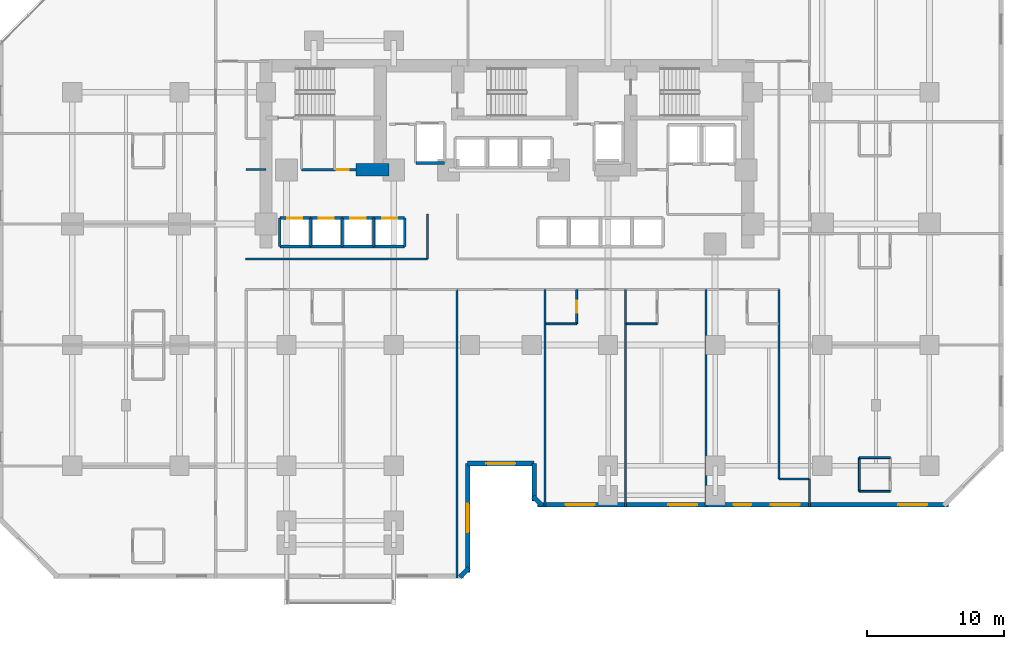
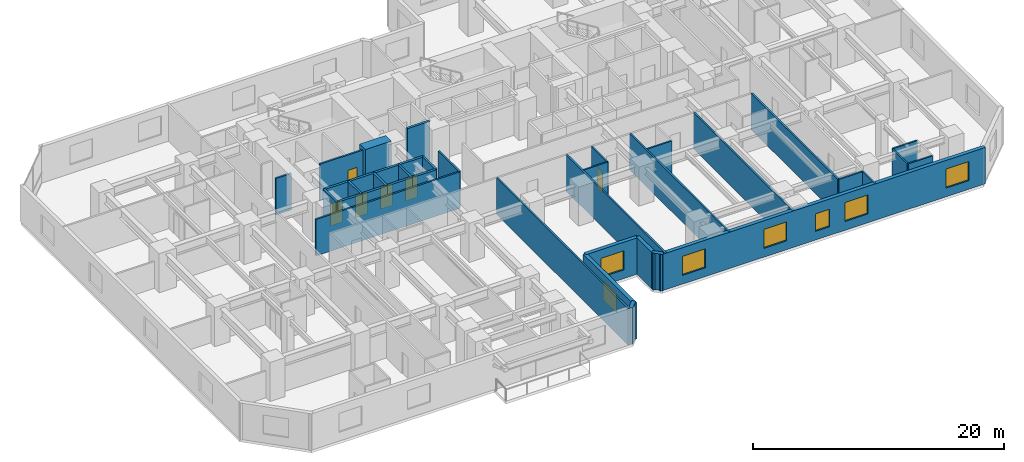
# One storey, part 6 of 12: 38 walls, 7 windows, 6 doors, 13 openings.
"""IFC4 building model written with IfcOpenShell, lengths in metres."""

from ifc_helpers import new_model, si_unit, direction, frame, frame_2d, origin, place, context, subcontext, project, spatial, rectangle, extrude, material, layer, layer_set, type_object, element, fill, save


model = new_model("IFC4")

# Units and contexts
model_context = context("Model", 3, precision=1e-05, world=origin(), true_north=direction((0.0, 1.0)))
body_context = subcontext(model_context, "Body", "Model", "MODEL_VIEW")
ifc_project = project(units=[si_unit("LENGTHUNIT", "METRE"), si_unit("AREAUNIT", "SQUARE_METRE"), si_unit("VOLUMEUNIT", "CUBIC_METRE"), si_unit("PLANEANGLEUNIT", "RADIAN"), si_unit("MASSUNIT", "GRAM", prefix="KILO")], contexts=[model_context])

# Site, building, storey
site_placement = place(None, origin())
site = spatial("IfcSite", under=ifc_project, at=site_placement, CompositionType="ELEMENT")
building_placement = place(site_placement, origin())
building = spatial("IfcBuilding", under=site, at=building_placement, Name="Kestravale Grand Hotel", CompositionType="ELEMENT")
storey_placement = place(building_placement, frame((0.0, 0.0, 67.800048828125)))
storey = spatial("IfcBuildingStorey", under=building, at=storey_placement, Name="L16", CompositionType="ELEMENT", Elevation=67.800048828125)

# Walls
ifc_material_1 = material(Name="Concrete f'c 70 MPa", Category="concrete")
ifc_layer_1 = layer(ifc_material_1, 0.89990234375)
ifc_layer_set_1 = layer_set([ifc_layer_1], Name="EW-CORE-900")
wall_type_1 = type_object("IfcWallType", Name="EW-CORE-900", PredefinedType="SHEAR", material=ifc_layer_set_1)
wall_1_placement = place(storey_placement, frame((28.449951171875, 32.75, 0.0), z_axis=(0.0, 0.0, 1.0), x_axis=(1.0, 0.0, 0.0)))
element("IfcWall", 1, at=wall_1_placement, inside=storey, type_object=wall_type_1, Name="L16 core shear wall S1", PredefinedType="SHEAR", context=body_context, shape_type="SweptSolid", body=[
    extrude(rectangle(XDim=2.400146484375, YDim=0.89990234375, at=frame_2d((1.2001953125, 0.0))), origin(), (0.0, 0.0, 1.0), 3.800048828125),
])
ifc_material_2 = material(Name="Precast concrete f'c 45 MPa", Category="concrete")
ifc_layer_2 = layer(ifc_material_2, 0.340087890625)
ifc_layer_set_2 = layer_set([ifc_layer_2], Name="EW-PREC-340")
wall_type_2 = type_object("IfcWallType", Name="EW-PREC-340", PredefinedType="SOLIDWALL", material=ifc_layer_set_2)
wall_2_placement = place(storey_placement, frame((36.00146484375, 3.091796875, 0.0), z_axis=(0.0, 0.0, 1.0), x_axis=(0.707106781187, 0.707106781187, 0.0)))
element("IfcWall", 2, at=wall_2_placement, inside=storey, type_object=wall_type_2, Name="L16 fluted precast facade wall 2", PredefinedType="SOLIDWALL", context=body_context, shape_type="SweptSolid", body=[
    extrude(rectangle(XDim=0.9287109375, YDim=0.340087890625, at=frame_2d((0.46435546875, 0.0))), origin(), (0.0, 0.0, 1.0), 3.5400390625),
])

# Wall, opening, window
wall_3_placement = place(storey_placement, frame((36.580078125, 3.429931640625, 0.0), z_axis=(0.0, 0.0, 1.0), x_axis=(0.0, 1.0, 0.0)))
wall_3 = element("IfcWall", 3, at=wall_3_placement, inside=storey, type_object=wall_type_2, Name="L16 fluted precast facade wall 3", PredefinedType="SOLIDWALL", context=body_context, shape_type="SweptSolid", body=[
    extrude(rectangle(XDim=7.940185546875, YDim=0.340087890625, at=frame_2d((3.97021484375, 0.0))), origin(), (0.0, 0.0, 1.0), 3.5400390625),
])
opening_1_placement = place(wall_3_placement, frame((2.919921875, 0.0, 0.85009765625)))
opening_1 = element("IfcOpeningElement", 4, at=opening_1_placement, cuts=wall_3, Name="Opening W-GUEST-2100", PredefinedType="OPENING", context=body_context, shape_type="SweptSolid", body=[
    extrude(rectangle(XDim=2.10009765625, YDim=1.85009765625, at=frame_2d((1.050048828125, 0.925048828125))), frame((0.0, 0.179931640625, 0.0), z_axis=(0.0, -1.0, 0.0), x_axis=(1.0, 0.0, 0.0)), (0.0, 0.0, 1.0), 0.360107421875),
])
ifc_material_3 = material(Name="Insulated low-E double glazing in aluminium frame", Category="aluminium")
window_type_1 = type_object("IfcWindowType", Name="W-GUEST-2100", PartitioningType="DOUBLE_PANEL_VERTICAL", PredefinedType="WINDOW", material=ifc_material_3)
window_1_placement = place(opening_1_placement, origin())
window_1 = element("IfcWindow", 5, at=window_1_placement, inside=storey, type_object=window_type_1, Name="L16 exterior window 3.1", OverallHeight=1.85009765625, OverallWidth=2.10009765625, PartitioningType="SINGLE_PANEL", PredefinedType="WINDOW", context=body_context, shape_type="SweptSolid", body=[
    extrude(rectangle(XDim=2.10009765625, YDim=1.85009765625, at=frame_2d((1.050048828125, 0.925048828125))), frame((0.0, 0.030029296875, 0.0), z_axis=(0.0, -1.0, 0.0), x_axis=(1.0, 0.0, 0.0)), (0.0, 0.0, 1.0), 0.06005859375),
])
fill(opening_1, window_1)

wall_4_placement = place(storey_placement, frame((36.580078125, 11.3701171875, 0.0), z_axis=(0.0, 0.0, 1.0), x_axis=(1.0, 0.0, 0.0)))
wall_4 = element("IfcWall", 6, at=wall_4_placement, inside=storey, type_object=wall_type_2, Name="L16 fluted precast facade wall 4", PredefinedType="SOLIDWALL", context=body_context, shape_type="SweptSolid", body=[
    extrude(rectangle(XDim=4.83984375, YDim=0.340087890625, at=frame_2d((2.419921875, 0.0))), origin(), (0.0, 0.0, 1.0), 3.5400390625),
])
opening_2_placement = place(wall_4_placement, frame((1.3701171875, 0.0, 0.85009765625)))
opening_2 = element("IfcOpeningElement", 7, at=opening_2_placement, cuts=wall_4, Name="Opening W-GUEST-2100", PredefinedType="OPENING", context=body_context, shape_type="SweptSolid", body=[
    extrude(rectangle(XDim=2.10009765625, YDim=1.85009765625, at=frame_2d((1.050048828125, 0.925048828125))), frame((0.0, 0.179931640625, 0.0), z_axis=(0.0, -1.0, 0.0), x_axis=(1.0, 0.0, 0.0)), (0.0, 0.0, 1.0), 0.360107421875),
])
window_2_placement = place(opening_2_placement, origin())
window_2 = element("IfcWindow", 8, at=window_2_placement, inside=storey, type_object=window_type_1, Name="L16 exterior window 4.1", OverallHeight=1.85009765625, OverallWidth=2.10009765625, PartitioningType="SINGLE_PANEL", PredefinedType="WINDOW", context=body_context, shape_type="SweptSolid", body=[
    extrude(rectangle(XDim=2.10009765625, YDim=1.85009765625, at=frame_2d((1.050048828125, 0.925048828125))), frame((0.0, 0.030029296875, 0.0), z_axis=(0.0, -1.0, 0.0), x_axis=(1.0, 0.0, 0.0)), (0.0, 0.0, 1.0), 0.06005859375),
])
fill(opening_2, window_2)

# Walls
wall_5_placement = place(storey_placement, frame((41.419921875, 11.3701171875, 0.0), z_axis=(0.0, 0.0, 1.0), x_axis=(0.0, -1.0, 0.0)))
element("IfcWall", 9, at=wall_5_placement, inside=storey, type_object=wall_type_2, Name="L16 fluted precast facade wall 5", PredefinedType="SOLIDWALL", context=body_context, shape_type="SweptSolid", body=[
    extrude(rectangle(XDim=2.740234375, YDim=0.340087890625, at=frame_2d((1.3701171875, 0.0))), origin(), (0.0, 0.0, 1.0), 3.5400390625),
])
wall_6_placement = place(storey_placement, frame((41.341796875, 8.948486328125, 0.0), z_axis=(0.0, 0.0, 1.0), x_axis=(0.707238225886, -0.706975312048, 0.0)))
element("IfcWall", 10, at=wall_6_placement, inside=storey, type_object=wall_type_2, Name="L16 fluted precast facade wall 6", PredefinedType="SOLIDWALL", context=body_context, shape_type="SweptSolid", body=[
    extrude(rectangle(XDim=0.9287109375, YDim=0.340087890625, at=frame_2d((0.46435546875, 0.0))), origin(), (0.0, 0.0, 1.0), 3.5400390625),
])

# Wall, openings, windows
wall_7_placement = place(storey_placement, frame((41.679931640625, 8.3701171875, 0.0), z_axis=(0.0, 0.0, 1.0), x_axis=(1.0, 0.0, 0.0)))
wall_7 = element("IfcWall", 11, at=wall_7_placement, inside=storey, type_object=wall_type_2, Name="L16 fluted precast facade wall 7", PredefinedType="SOLIDWALL", context=body_context, shape_type="SweptSolid", body=[
    extrude(rectangle(XDim=29.89013671875, YDim=0.340087890625, at=frame_2d((14.945068359375, 0.0))), origin(), (0.0, 0.0, 1.0), 3.5400390625),
])
opening_3_placement = place(wall_7_placement, frame((2.0361328125, 0.0, 0.85009765625)))
opening_3 = element("IfcOpeningElement", 12, at=opening_3_placement, cuts=wall_7, Name="Opening W-GUEST-2100", PredefinedType="OPENING", context=body_context, shape_type="SweptSolid", body=[
    extrude(rectangle(XDim=2.10009765625, YDim=1.85009765625, at=frame_2d((1.050048828125, 0.925048828125))), frame((0.0, 0.179931640625, 0.0), z_axis=(0.0, -1.0, 0.0), x_axis=(1.0, 0.0, 0.0)), (0.0, 0.0, 1.0), 0.360107421875),
])
opening_4_placement = place(wall_7_placement, frame((9.5087890625, 0.0, 0.85009765625)))
opening_4 = element("IfcOpeningElement", 13, at=opening_4_placement, cuts=wall_7, Name="Opening W-GUEST-2100", PredefinedType="OPENING", context=body_context, shape_type="SweptSolid", body=[
    extrude(rectangle(XDim=2.10009765625, YDim=1.85009765625, at=frame_2d((1.050048828125, 0.925048828125))), frame((0.0, 0.179931640625, 0.0), z_axis=(0.0, -1.0, 0.0), x_axis=(1.0, 0.0, 0.0)), (0.0, 0.0, 1.0), 0.360107421875),
])
opening_5_placement = place(wall_7_placement, frame((16.981201171875, 0.0, 0.85009765625)))
opening_5 = element("IfcOpeningElement", 14, at=opening_5_placement, cuts=wall_7, Name="Opening W-GUEST-2100", PredefinedType="OPENING", context=body_context, shape_type="SweptSolid", body=[
    extrude(rectangle(XDim=2.10009765625, YDim=1.85009765625, at=frame_2d((1.050048828125, 0.925048828125))), frame((0.0, 0.179931640625, 0.0), z_axis=(0.0, -1.0, 0.0), x_axis=(1.0, 0.0, 0.0)), (0.0, 0.0, 1.0), 0.360107421875),
])
opening_6_placement = place(wall_7_placement, frame((26.253662109375, 0.0, 0.85009765625)))
opening_6 = element("IfcOpeningElement", 15, at=opening_6_placement, cuts=wall_7, Name="Opening W-GUEST-2100", PredefinedType="OPENING", context=body_context, shape_type="SweptSolid", body=[
    extrude(rectangle(XDim=2.10009765625, YDim=1.85009765625, at=frame_2d((1.050048828125, 0.925048828125))), frame((0.0, 0.179931640625, 0.0), z_axis=(0.0, -1.0, 0.0), x_axis=(1.0, 0.0, 0.0)), (0.0, 0.0, 1.0), 0.360107421875),
])
opening_7_placement = place(wall_7_placement, frame((14.264892578125, 0.0, 0.85009765625)))
opening_7 = element("IfcOpeningElement", 16, at=opening_7_placement, cuts=wall_7, Name="Opening W-GUEST-1300", PredefinedType="OPENING", context=body_context, shape_type="SweptSolid", body=[
    extrude(rectangle(XDim=1.300048828125, YDim=1.699951171875, at=frame_2d((0.64990234375, 0.85009765625))), frame((0.0, 0.179931640625, 0.0), z_axis=(0.0, -1.0, 0.0), x_axis=(1.0, 0.0, 0.0)), (0.0, 0.0, 1.0), 0.360107421875),
])
ifc_material_4 = material(Name="Insulated low-E double glazing in aluminium frame", Category="aluminium")
window_type_2 = type_object("IfcWindowType", Name="W-GUEST-1300", PartitioningType="SINGLE_PANEL", PredefinedType="WINDOW", material=ifc_material_4)
window_3_placement = place(opening_7_placement, origin())
window_3 = element("IfcWindow", 17, at=window_3_placement, inside=storey, type_object=window_type_2, Name="L16 guestroom envelope window 1", OverallHeight=1.699951171875, OverallWidth=1.300048828125, PartitioningType="SINGLE_PANEL", PredefinedType="WINDOW", context=body_context, shape_type="SweptSolid", body=[
    extrude(rectangle(XDim=1.300048828125, YDim=1.699951171875, at=frame_2d((0.64990234375, 0.85009765625))), frame((0.0, 0.030029296875, 0.0), z_axis=(0.0, -1.0, 0.0), x_axis=(1.0, 0.0, 0.0)), (0.0, 0.0, 1.0), 0.06005859375),
])
fill(opening_7, window_3)
window_4_placement = place(opening_3_placement, origin())
window_4 = element("IfcWindow", 18, at=window_4_placement, inside=storey, type_object=window_type_1, Name="L16 exterior window 7.1", OverallHeight=1.85009765625, OverallWidth=2.10009765625, PartitioningType="SINGLE_PANEL", PredefinedType="WINDOW", context=body_context, shape_type="SweptSolid", body=[
    extrude(rectangle(XDim=2.10009765625, YDim=1.85009765625, at=frame_2d((1.050048828125, 0.925048828125))), frame((0.0, 0.030029296875, 0.0), z_axis=(0.0, -1.0, 0.0), x_axis=(1.0, 0.0, 0.0)), (0.0, 0.0, 1.0), 0.06005859375),
])
fill(opening_3, window_4)
window_5_placement = place(opening_4_placement, origin())
window_5 = element("IfcWindow", 19, at=window_5_placement, inside=storey, type_object=window_type_1, Name="L16 exterior window 7.2", OverallHeight=1.85009765625, OverallWidth=2.10009765625, PartitioningType="SINGLE_PANEL", PredefinedType="WINDOW", context=body_context, shape_type="SweptSolid", body=[
    extrude(rectangle(XDim=2.10009765625, YDim=1.85009765625, at=frame_2d((1.050048828125, 0.925048828125))), frame((0.0, 0.030029296875, 0.0), z_axis=(0.0, -1.0, 0.0), x_axis=(1.0, 0.0, 0.0)), (0.0, 0.0, 1.0), 0.06005859375),
])
fill(opening_4, window_5)
window_6_placement = place(opening_5_placement, origin())
window_6 = element("IfcWindow", 20, at=window_6_placement, inside=storey, type_object=window_type_1, Name="L16 exterior window 7.3", OverallHeight=1.85009765625, OverallWidth=2.10009765625, PartitioningType="SINGLE_PANEL", PredefinedType="WINDOW", context=body_context, shape_type="SweptSolid", body=[
    extrude(rectangle(XDim=2.10009765625, YDim=1.85009765625, at=frame_2d((1.050048828125, 0.925048828125))), frame((0.0, 0.030029296875, 0.0), z_axis=(0.0, -1.0, 0.0), x_axis=(1.0, 0.0, 0.0)), (0.0, 0.0, 1.0), 0.06005859375),
])
fill(opening_5, window_6)
window_7_placement = place(opening_6_placement, origin())
window_7 = element("IfcWindow", 21, at=window_7_placement, inside=storey, type_object=window_type_1, Name="L16 exterior window 7.4", OverallHeight=1.85009765625, OverallWidth=2.10009765625, PartitioningType="SINGLE_PANEL", PredefinedType="WINDOW", context=body_context, shape_type="SweptSolid", body=[
    extrude(rectangle(XDim=2.10009765625, YDim=1.85009765625, at=frame_2d((1.050048828125, 0.925048828125))), frame((0.0, 0.030029296875, 0.0), z_axis=(0.0, -1.0, 0.0), x_axis=(1.0, 0.0, 0.0)), (0.0, 0.0, 1.0), 0.06005859375),
])
fill(opening_6, window_7)

# Wall, opening, door
ifc_material_5 = material(Name="Acoustic fire-rated gypsum board partition", Category="other")
ifc_layer_3 = layer(ifc_material_5, 0.159912109375)
ifc_layer_set_3 = layer_set([ifc_layer_3], Name="IW-CORR-160")
wall_type_3 = type_object("IfcWallType", Name="IW-CORR-160", PredefinedType="PARTITIONING", material=ifc_layer_set_3)
wall_8_placement = place(storey_placement, frame((24.47998046875, 32.75, 0.0), z_axis=(0.0, 0.0, 1.0), x_axis=(1.0, 0.0, 0.0)))
wall_8 = element("IfcWall", 22, at=wall_8_placement, inside=storey, type_object=wall_type_3, Name="W-L16-CWS", PredefinedType="PARTITIONING", context=body_context, shape_type="SweptSolid", body=[
    extrude(rectangle(XDim=3.969970703125, YDim=0.159912109375, at=frame_2d((1.98486328125, 0.0))), origin(), (0.0, 0.0, 1.0), 3.5400390625),
])
opening_8_placement = place(wall_8_placement, frame((2.5849609375, 0.0, 0.0)))
opening_8 = element("IfcOpeningElement", 23, at=opening_8_placement, cuts=wall_8, Name="Opening D-SH-860", PredefinedType="OPENING", context=body_context, shape_type="SweptSolid", body=[
    extrude(rectangle(XDim=0.860107421875, YDim=2.050048828125, at=frame_2d((0.43017578125, 1.02490234375))), frame((0.0, 0.08984375, 0.0), z_axis=(0.0, -1.0, 0.0), x_axis=(1.0, 0.0, 0.0)), (0.0, 0.0, 1.0), 0.179931640625),
])
ifc_material_6 = material(Name="Galvanised 90-minute riser fire door", Category="steel")
door_type_1 = type_object("IfcDoorType", Name="D-SH-860", OperationType="NOTDEFINED", PredefinedType="DOOR", material=ifc_material_6)
door_1_placement = place(opening_8_placement, origin())
door_1 = element("IfcDoor", 24, at=door_1_placement, inside=storey, type_object=door_type_1, Name="D-L16-ELEC", OperationType="SINGLE_SWING_RIGHT", OverallHeight=2.050048828125, OverallWidth=0.860107421875, PredefinedType="DOOR", context=body_context, shape_type="SweptSolid", body=[
    extrude(rectangle(XDim=0.860107421875, YDim=2.050048828125, at=frame_2d((0.43017578125, 1.02490234375))), frame((0.0, 0.02490234375, 0.0), z_axis=(0.0, -1.0, 0.0), x_axis=(1.0, 0.0, 0.0)), (0.0, 0.0, 1.0), 0.050048828125),
])
fill(opening_8, door_1)

# Walls
wall_9_placement = place(storey_placement, frame((20.39990234375, 26.260009765625, 0.0), z_axis=(0.0, 0.0, 1.0), x_axis=(1.0, 0.0, 0.0)))
element("IfcWall", 25, at=wall_9_placement, inside=storey, type_object=wall_type_3, Name="W-L16-CW-N", PredefinedType="PARTITIONING", context=body_context, shape_type="SweptSolid", body=[
    extrude(rectangle(XDim=13.25, YDim=0.159912109375, at=frame_2d((6.625, 0.0))), origin(), (0.0, 0.0, 1.0), 3.5400390625),
])
wall_10_placement = place(storey_placement, frame((33.64990234375, 26.260009765625, 0.0), z_axis=(0.0, 0.0, 1.0), x_axis=(0.0, 1.0, 0.0)))
element("IfcWall", 26, at=wall_10_placement, inside=storey, type_object=wall_type_3, Name="W-L16-TRUNK-W", PredefinedType="PARTITIONING", context=body_context, shape_type="SweptSolid", body=[
    extrude(rectangle(XDim=3.2900390625, YDim=0.159912109375, at=frame_2d((1.64501953125, 0.0))), origin(), (0.0, 0.0, 1.0), 3.5400390625),
])
wall_11_placement = place(storey_placement, frame((20.4599609375, 32.780029296875, 0.0), z_axis=(0.0, 0.0, 1.0), x_axis=(1.0, 0.0, 0.0)))
element("IfcWall", 27, at=wall_11_placement, inside=storey, type_object=wall_type_3, Name="W-L16-SW-CS", PredefinedType="PARTITIONING", context=body_context, shape_type="SweptSolid", body=[
    extrude(rectangle(XDim=1.43994140625, YDim=0.159912109375, at=frame_2d((0.719970703125, 0.0))), origin(), (0.0, 0.0, 1.0), 3.5400390625),
])
wall_12_placement = place(storey_placement, frame((59.239990234375, 10.25, 0.0), z_axis=(0.0, 0.0, 1.0), x_axis=(0.0, 1.0, 0.0)))
element("IfcWall", 28, at=wall_12_placement, inside=storey, type_object=wall_type_3, Name="W-L16-SE-W", PredefinedType="PARTITIONING", context=body_context, shape_type="SweptSolid", body=[
    extrude(rectangle(XDim=13.7900390625, YDim=0.159912109375, at=frame_2d((6.89501953125, 0.0))), origin(), (0.0, 0.0, 1.0), 3.5400390625),
])

# Wall, opening, door
ifc_material_7 = material(Name="Moisture-resistant tile-backer plumbing chase wall", Category="other")
ifc_layer_4 = layer(ifc_material_7, 0.139892578125)
ifc_layer_set_4 = layer_set([ifc_layer_4], Name="IW-PLB-140")
wall_type_4 = type_object("IfcWallType", Name="IW-PLB-140", PredefinedType="PLUMBINGWALL", material=ifc_layer_set_4)
wall_13_placement = place(storey_placement, frame((44.52001953125, 21.530029296875, 0.0), z_axis=(0.0, 0.0, 1.0), x_axis=(0.0, 1.0, 0.0)))
wall_13 = element("IfcWall", 29, at=wall_13_placement, inside=storey, type_object=wall_type_4, Name="W-L16-U02-BE", PredefinedType="PLUMBINGWALL", context=body_context, shape_type="SweptSolid", body=[
    extrude(rectangle(XDim=2.489990234375, YDim=0.139892578125, at=frame_2d((1.2451171875, 0.0))), origin(), (0.0, 0.0, 1.0), 3.5400390625),
])
opening_9_placement = place(wall_13_placement, frame((0.804931640625, 0.0, 0.0)))
opening_9 = element("IfcOpeningElement", 30, at=opening_9_placement, cuts=wall_13, Name="Opening D-BATH-880", PredefinedType="OPENING", context=body_context, shape_type="SweptSolid", body=[
    extrude(rectangle(XDim=0.8798828125, YDim=2.050048828125, at=frame_2d((0.43994140625, 1.02490234375))), frame((0.0, 0.079833984375, 0.0), z_axis=(0.0, -1.0, 0.0), x_axis=(1.0, 0.0, 0.0)), (0.0, 0.0, 1.0), 0.159912109375),
])
ifc_material_8 = material(Name="Moisture-sealed walnut en-suite bathroom door", Category="wood")
door_type_2 = type_object("IfcDoorType", Name="D-BATH-880", OperationType="NOTDEFINED", PredefinedType="DOOR", material=ifc_material_8)
door_2_placement = place(opening_9_placement, origin())
door_2 = element("IfcDoor", 31, at=door_2_placement, inside=storey, type_object=door_type_2, Name="D-L16-U02-BATH", OperationType="SINGLE_SWING_LEFT", OverallHeight=2.050048828125, OverallWidth=0.8798828125, PredefinedType="DOOR", context=body_context, shape_type="SweptSolid", body=[
    extrude(rectangle(XDim=0.8798828125, YDim=2.050048828125, at=frame_2d((0.43994140625, 1.02490234375))), frame((0.0, 0.02490234375, 0.0), z_axis=(0.0, -1.0, 0.0), x_axis=(1.0, 0.0, 0.0)), (0.0, 0.0, 1.0), 0.050048828125),
])
fill(opening_9, door_2)

# Walls
for number, where, z_axis, x_axis, name in (
    (32, (42.27001953125, 21.530029296875, 0.0), (0.0, 0.0, 1.0), (1.0, 0.0, 0.0), "W-L16-U02-BS"),
    (33, (48.1298828125, 21.530029296875, 0.0), (0.0, 0.0, 1.0), (1.0, 0.0, 0.0), "W-L16-U03-BS"),
):
    element("IfcWall", number, at=place(storey_placement, frame(where, z_axis=z_axis, x_axis=x_axis)), inside=storey, type_object=wall_type_4, Name=name, PredefinedType="PLUMBINGWALL", context=body_context, shape_type="SweptSolid", body=[
        extrude(rectangle(XDim=2.25, YDim=0.139892578125, at=frame_2d((1.125, 0.0))), origin(), (0.0, 0.0, 1.0), 3.5400390625),
    ])
wall_14_placement = place(storey_placement, frame((65.10009765625, 9.35009765625, 0.0), z_axis=(0.0, 0.0, 1.0), x_axis=(0.0, 1.0, 0.0)))
element("IfcWall", 34, at=wall_14_placement, inside=storey, type_object=wall_type_4, Name="W-L16-U09-BW", PredefinedType="PLUMBINGWALL", context=body_context, shape_type="SweptSolid", body=[
    extrude(rectangle(XDim=2.449951171875, YDim=0.139892578125, at=frame_2d((1.22509765625, 0.0))), origin(), (0.0, 0.0, 1.0), 3.5400390625),
])
for number, where, z_axis, x_axis, name in (
    (35, (65.10009765625, 9.35009765625, 0.0), (0.0, 0.0, 1.0), (1.0, 0.0, 0.0), "W-L16-U09-BS"),
    (36, (65.10009765625, 11.800048828125, 0.0), (0.0, 0.0, 1.0), (1.0, 0.0, 0.0), "W-L16-U09-BN"),
):
    element("IfcWall", number, at=place(storey_placement, frame(where, z_axis=z_axis, x_axis=x_axis)), inside=storey, type_object=wall_type_4, Name=name, PredefinedType="PLUMBINGWALL", context=body_context, shape_type="SweptSolid", body=[
        extrude(rectangle(XDim=2.25, YDim=0.139892578125, at=frame_2d((1.125, 0.0))), origin(), (0.0, 0.0, 1.0), 3.5400390625),
    ])
ifc_material_9 = material(Name="Concrete f'c 45 MPa", Category="concrete")
ifc_layer_5 = layer(ifc_material_9, 0.199951171875)
ifc_layer_set_5 = layer_set([ifc_layer_5], Name="IW-SHAFT-200")
wall_type_5 = type_object("IfcWallType", Name="IW-SHAFT-200", PredefinedType="SHEAR", material=ifc_layer_set_5)
for number, where, z_axis, x_axis, name in (
    (37, (22.905029296875, 27.169921875, 0.0), (0.0, 0.0, 1.0), (0.0, 1.0, 0.0), "L16 PL-L1 west shaft wall"),
    (38, (25.14990234375, 27.169921875, 0.0), (0.0, 0.0, 1.0), (0.0, 1.0, 0.0), "L16 PL-L2 west shaft wall"),
    (39, (27.449951171875, 27.169921875, 0.0), (0.0, 0.0, 1.0), (0.0, 1.0, 0.0), "L16 PL-L3 west shaft wall"),
    (40, (29.75, 27.169921875, 0.0), (0.0, 0.0, 1.0), (0.0, 1.0, 0.0), "L16 PL-L4 west shaft wall"),
    (41, (31.9951171875, 27.169921875, 0.0), (0.0, 0.0, 1.0), (0.0, 1.0, 0.0), "L16 PL-L4 east shaft wall"),
):
    element("IfcWall", number, at=place(storey_placement, frame(where, z_axis=z_axis, x_axis=x_axis)), inside=storey, type_object=wall_type_5, Name=name, PredefinedType="SHEAR", context=body_context, shape_type="SweptSolid", body=[
        extrude(rectangle(XDim=2.06005859375, YDim=0.199951171875, at=frame_2d((1.030029296875, 0.0))), origin(), (0.0, 0.0, 1.0), 3.800048828125),
    ])

# Wall, opening, door
ifc_material_10 = material(Name="Concrete f'c 45 MPa", Category="concrete")
ifc_layer_6 = layer(ifc_material_10, 0.219970703125)
ifc_layer_set_6 = layer_set([ifc_layer_6], Name="IW-SHAFT-220")
wall_type_6 = type_object("IfcWallType", Name="IW-SHAFT-220", PredefinedType="SHEAR", material=ifc_layer_set_6)
wall_15_placement = place(storey_placement, frame((22.905029296875, 29.22998046875, 0.0), z_axis=(0.0, 0.0, 1.0), x_axis=(1.0, 0.0, 0.0)))
wall_15 = element("IfcWall", 42, at=wall_15_placement, inside=storey, type_object=wall_type_6, Name="L16 PL-L1 north shaft wall", PredefinedType="SHEAR", context=body_context, shape_type="SweptSolid", body=[
    extrude(rectangle(XDim=2.244873046875, YDim=0.219970703125, at=frame_2d((1.12255859375, 0.0))), origin(), (0.0, 0.0, 1.0), 3.800048828125),
])
opening_10_placement = place(wall_15_placement, frame((0.544921875, 0.0, 0.0)))
opening_10 = element("IfcOpeningElement", 43, at=opening_10_placement, cuts=wall_15, Name="Opening LD-PAX-1100", PredefinedType="OPENING", context=body_context, shape_type="SweptSolid", body=[
    extrude(rectangle(XDim=1.10009765625, YDim=2.14990234375, at=frame_2d((0.550048828125, 1.074951171875))), frame((0.0, 0.119873046875, 0.0), z_axis=(0.0, -1.0, 0.0), x_axis=(1.0, 0.0, 0.0)), (0.0, 0.0, 1.0), 0.239990234375),
])
ifc_material_11 = material(Name="Champagne-bronze center-opening sliding elevator landing door", Category="steel")
door_type_3 = type_object("IfcDoorType", Name="LD-PAX-1100", OperationType="NOTDEFINED", PredefinedType="DOOR", material=ifc_material_11)
door_3_placement = place(opening_10_placement, origin())
door_3 = element("IfcDoor", 44, at=door_3_placement, inside=storey, type_object=door_type_3, Name="L16 PL-L1 elevator landing sliding door", OperationType="DOUBLE_DOOR_SLIDING", OverallHeight=2.14990234375, OverallWidth=1.10009765625, PredefinedType="DOOR", context=body_context, shape_type="SweptSolid", body=[
    extrude(rectangle(XDim=1.10009765625, YDim=2.14990234375, at=frame_2d((0.550048828125, 1.074951171875))), frame((0.0, 0.02490234375, 0.0), z_axis=(0.0, -1.0, 0.0), x_axis=(1.0, 0.0, 0.0)), (0.0, 0.0, 1.0), 0.050048828125),
])
fill(opening_10, door_3)

# Wall
wall_16_placement = place(storey_placement, frame((22.905029296875, 27.169921875, 0.0), z_axis=(0.0, 0.0, 1.0), x_axis=(1.0, 0.0, 0.0)))
element("IfcWall", 45, at=wall_16_placement, inside=storey, type_object=wall_type_6, Name="L16 PL-L1 south shaft wall", PredefinedType="SHEAR", context=body_context, shape_type="SweptSolid", body=[
    extrude(rectangle(XDim=2.244873046875, YDim=0.219970703125, at=frame_2d((1.12255859375, 0.0))), origin(), (0.0, 0.0, 1.0), 3.800048828125),
])

# Wall, opening, door
wall_17_placement = place(storey_placement, frame((25.14990234375, 29.22998046875, 0.0), z_axis=(0.0, 0.0, 1.0), x_axis=(1.0, 0.0, 0.0)))
wall_17 = element("IfcWall", 46, at=wall_17_placement, inside=storey, type_object=wall_type_6, Name="L16 PL-L2 north shaft wall", PredefinedType="SHEAR", context=body_context, shape_type="SweptSolid", body=[
    extrude(rectangle(XDim=2.300048828125, YDim=0.219970703125, at=frame_2d((1.14990234375, 0.0))), origin(), (0.0, 0.0, 1.0), 3.800048828125),
])
opening_11_placement = place(wall_17_placement, frame((0.60009765625, 0.0, 0.0)))
opening_11 = element("IfcOpeningElement", 47, at=opening_11_placement, cuts=wall_17, Name="Opening LD-PAX-1100", PredefinedType="OPENING", context=body_context, shape_type="SweptSolid", body=[
    extrude(rectangle(XDim=1.10009765625, YDim=2.14990234375, at=frame_2d((0.550048828125, 1.074951171875))), frame((0.0, 0.119873046875, 0.0), z_axis=(0.0, -1.0, 0.0), x_axis=(1.0, 0.0, 0.0)), (0.0, 0.0, 1.0), 0.239990234375),
])
door_4_placement = place(opening_11_placement, origin())
door_4 = element("IfcDoor", 48, at=door_4_placement, inside=storey, type_object=door_type_3, Name="L16 PL-L2 elevator landing sliding door", OperationType="DOUBLE_DOOR_SLIDING", OverallHeight=2.14990234375, OverallWidth=1.10009765625, PredefinedType="DOOR", context=body_context, shape_type="SweptSolid", body=[
    extrude(rectangle(XDim=1.10009765625, YDim=2.14990234375, at=frame_2d((0.550048828125, 1.074951171875))), frame((0.0, 0.02490234375, 0.0), z_axis=(0.0, -1.0, 0.0), x_axis=(1.0, 0.0, 0.0)), (0.0, 0.0, 1.0), 0.050048828125),
])
fill(opening_11, door_4)

# Wall
wall_18_placement = place(storey_placement, frame((25.14990234375, 27.169921875, 0.0), z_axis=(0.0, 0.0, 1.0), x_axis=(1.0, 0.0, 0.0)))
element("IfcWall", 49, at=wall_18_placement, inside=storey, type_object=wall_type_6, Name="L16 PL-L2 south shaft wall", PredefinedType="SHEAR", context=body_context, shape_type="SweptSolid", body=[
    extrude(rectangle(XDim=2.300048828125, YDim=0.219970703125, at=frame_2d((1.14990234375, 0.0))), origin(), (0.0, 0.0, 1.0), 3.800048828125),
])

# Wall, opening, door
wall_19_placement = place(storey_placement, frame((27.449951171875, 29.22998046875, 0.0), z_axis=(0.0, 0.0, 1.0), x_axis=(1.0, 0.0, 0.0)))
wall_19 = element("IfcWall", 50, at=wall_19_placement, inside=storey, type_object=wall_type_6, Name="L16 PL-L3 north shaft wall", PredefinedType="SHEAR", context=body_context, shape_type="SweptSolid", body=[
    extrude(rectangle(XDim=2.300048828125, YDim=0.219970703125, at=frame_2d((1.14990234375, 0.0))), origin(), (0.0, 0.0, 1.0), 3.800048828125),
])
opening_12_placement = place(wall_19_placement, frame((0.60009765625, 0.0, 0.0)))
opening_12 = element("IfcOpeningElement", 51, at=opening_12_placement, cuts=wall_19, Name="Opening LD-PAX-1100", PredefinedType="OPENING", context=body_context, shape_type="SweptSolid", body=[
    extrude(rectangle(XDim=1.10009765625, YDim=2.14990234375, at=frame_2d((0.550048828125, 1.074951171875))), frame((0.0, 0.119873046875, 0.0), z_axis=(0.0, -1.0, 0.0), x_axis=(1.0, 0.0, 0.0)), (0.0, 0.0, 1.0), 0.239990234375),
])
door_5_placement = place(opening_12_placement, origin())
door_5 = element("IfcDoor", 52, at=door_5_placement, inside=storey, type_object=door_type_3, Name="L16 PL-L3 elevator landing sliding door", OperationType="DOUBLE_DOOR_SLIDING", OverallHeight=2.14990234375, OverallWidth=1.10009765625, PredefinedType="DOOR", context=body_context, shape_type="SweptSolid", body=[
    extrude(rectangle(XDim=1.10009765625, YDim=2.14990234375, at=frame_2d((0.550048828125, 1.074951171875))), frame((0.0, 0.02490234375, 0.0), z_axis=(0.0, -1.0, 0.0), x_axis=(1.0, 0.0, 0.0)), (0.0, 0.0, 1.0), 0.050048828125),
])
fill(opening_12, door_5)

# Wall
wall_20_placement = place(storey_placement, frame((27.449951171875, 27.169921875, 0.0), z_axis=(0.0, 0.0, 1.0), x_axis=(1.0, 0.0, 0.0)))
element("IfcWall", 53, at=wall_20_placement, inside=storey, type_object=wall_type_6, Name="L16 PL-L3 south shaft wall", PredefinedType="SHEAR", context=body_context, shape_type="SweptSolid", body=[
    extrude(rectangle(XDim=2.300048828125, YDim=0.219970703125, at=frame_2d((1.14990234375, 0.0))), origin(), (0.0, 0.0, 1.0), 3.800048828125),
])

# Wall, opening, door
wall_21_placement = place(storey_placement, frame((29.75, 29.22998046875, 0.0), z_axis=(0.0, 0.0, 1.0), x_axis=(1.0, 0.0, 0.0)))
wall_21 = element("IfcWall", 54, at=wall_21_placement, inside=storey, type_object=wall_type_6, Name="L16 PL-L4 north shaft wall", PredefinedType="SHEAR", context=body_context, shape_type="SweptSolid", body=[
    extrude(rectangle(XDim=2.2451171875, YDim=0.219970703125, at=frame_2d((1.12255859375, 0.0))), origin(), (0.0, 0.0, 1.0), 3.800048828125),
])
opening_13_placement = place(wall_21_placement, frame((0.60009765625, 0.0, 0.0)))
opening_13 = element("IfcOpeningElement", 55, at=opening_13_placement, cuts=wall_21, Name="Opening LD-PAX-1100", PredefinedType="OPENING", context=body_context, shape_type="SweptSolid", body=[
    extrude(rectangle(XDim=1.10009765625, YDim=2.14990234375, at=frame_2d((0.550048828125, 1.074951171875))), frame((0.0, 0.119873046875, 0.0), z_axis=(0.0, -1.0, 0.0), x_axis=(1.0, 0.0, 0.0)), (0.0, 0.0, 1.0), 0.239990234375),
])
door_6_placement = place(opening_13_placement, origin())
door_6 = element("IfcDoor", 56, at=door_6_placement, inside=storey, type_object=door_type_3, Name="L16 PL-L4 elevator landing sliding door", OperationType="DOUBLE_DOOR_SLIDING", OverallHeight=2.14990234375, OverallWidth=1.10009765625, PredefinedType="DOOR", context=body_context, shape_type="SweptSolid", body=[
    extrude(rectangle(XDim=1.10009765625, YDim=2.14990234375, at=frame_2d((0.550048828125, 1.074951171875))), frame((0.0, 0.02490234375, 0.0), z_axis=(0.0, -1.0, 0.0), x_axis=(1.0, 0.0, 0.0)), (0.0, 0.0, 1.0), 0.050048828125),
])
fill(opening_13, door_6)

# Walls
wall_22_placement = place(storey_placement, frame((29.75, 27.169921875, 0.0), z_axis=(0.0, 0.0, 1.0), x_axis=(1.0, 0.0, 0.0)))
element("IfcWall", 57, at=wall_22_placement, inside=storey, type_object=wall_type_6, Name="L16 PL-L4 south shaft wall", PredefinedType="SHEAR", context=body_context, shape_type="SweptSolid", body=[
    extrude(rectangle(XDim=2.2451171875, YDim=0.219970703125, at=frame_2d((1.12255859375, 0.0))), origin(), (0.0, 0.0, 1.0), 3.800048828125),
])
wall_23_placement = place(storey_placement, frame((32.804931640625, 33.2451171875, 0.0), z_axis=(0.0, 0.0, 1.0), x_axis=(1.0, 0.0, 0.0)))
element("IfcWall", 58, at=wall_23_placement, inside=storey, type_object=wall_type_6, Name="L16 FL-1 south shaft wall", PredefinedType="SHEAR", context=body_context, shape_type="SweptSolid", body=[
    extrude(rectangle(XDim=2.090087890625, YDim=0.219970703125, at=frame_2d((1.044921875, 0.0))), origin(), (0.0, 0.0, 1.0), 3.800048828125),
])
ifc_material_12 = material(Name="Double-stud STC 52 acoustic demising partition", Category="other")
ifc_layer_7 = layer(ifc_material_12, 0.14990234375)
ifc_layer_set_7 = layer_set([ifc_layer_7], Name="IW-UNIT-150")
wall_type_7 = type_object("IfcWallType", Name="IW-UNIT-150", PredefinedType="PARTITIONING", material=ifc_layer_set_7)
wall_24_placement = place(storey_placement, frame((59.239990234375, 10.25, 0.0), z_axis=(0.0, 0.0, 1.0), x_axis=(1.0, 0.0, 0.0)))
element("IfcWall", 59, at=wall_24_placement, inside=storey, type_object=wall_type_7, Name="W-L16-SE-S", PredefinedType="PARTITIONING", context=body_context, shape_type="SweptSolid", body=[
    extrude(rectangle(XDim=2.219970703125, YDim=0.14990234375, at=frame_2d((1.10986328125, 0.0))), origin(), (0.0, 0.0, 1.0), 3.5400390625),
])
wall_25_placement = place(storey_placement, frame((35.800048828125, 3.02001953125, 0.0), z_axis=(0.0, 0.0, 1.0), x_axis=(0.0, 1.0, 0.0)))
element("IfcWall", 60, at=wall_25_placement, inside=storey, type_object=wall_type_7, Name="W-L16-MID-S", PredefinedType="PARTITIONING", context=body_context, shape_type="SweptSolid", body=[
    extrude(rectangle(XDim=21.0, YDim=0.14990234375, at=frame_2d((10.5, 0.0))), origin(), (0.0, 0.0, 1.0), 3.5400390625),
])
for number, where, z_axis, x_axis, name in (
    (61, (42.2099609375, 8.219970703125, 0.0), (0.0, 0.0, 1.0), (0.0, 1.0, 0.0), "W-L16-ES-1"),
    (62, (48.070068359375, 8.219970703125, 0.0), (0.0, 0.0, 1.0), (0.0, 1.0, 0.0), "W-L16-ES-2"),
    (63, (53.929931640625, 8.219970703125, 0.0), (0.0, 0.0, 1.0), (0.0, 1.0, 0.0), "W-L16-ES-3"),
):
    element("IfcWall", number, at=place(storey_placement, frame(where, z_axis=z_axis, x_axis=x_axis)), inside=storey, type_object=wall_type_7, Name=name, PredefinedType="PARTITIONING", context=body_context, shape_type="SweptSolid", body=[
        extrude(rectangle(XDim=15.820068359375, YDim=0.14990234375, at=frame_2d((7.91015625, 0.0))), origin(), (0.0, 0.0, 1.0), 3.5400390625),
    ])
wall_26_placement = place(storey_placement, frame((61.4599609375, 8.219970703125, 0.0), z_axis=(0.0, 0.0, 1.0), x_axis=(0.0, 1.0, 0.0)))
element("IfcWall", 64, at=wall_26_placement, inside=storey, type_object=wall_type_7, Name="W-L16-SE-EXT", PredefinedType="PARTITIONING", context=body_context, shape_type="SweptSolid", body=[
    extrude(rectangle(XDim=2.030029296875, YDim=0.14990234375, at=frame_2d((1.01513671875, 0.0))), origin(), (0.0, 0.0, 1.0), 3.5400390625),
])

save(model, "model.ifc")
